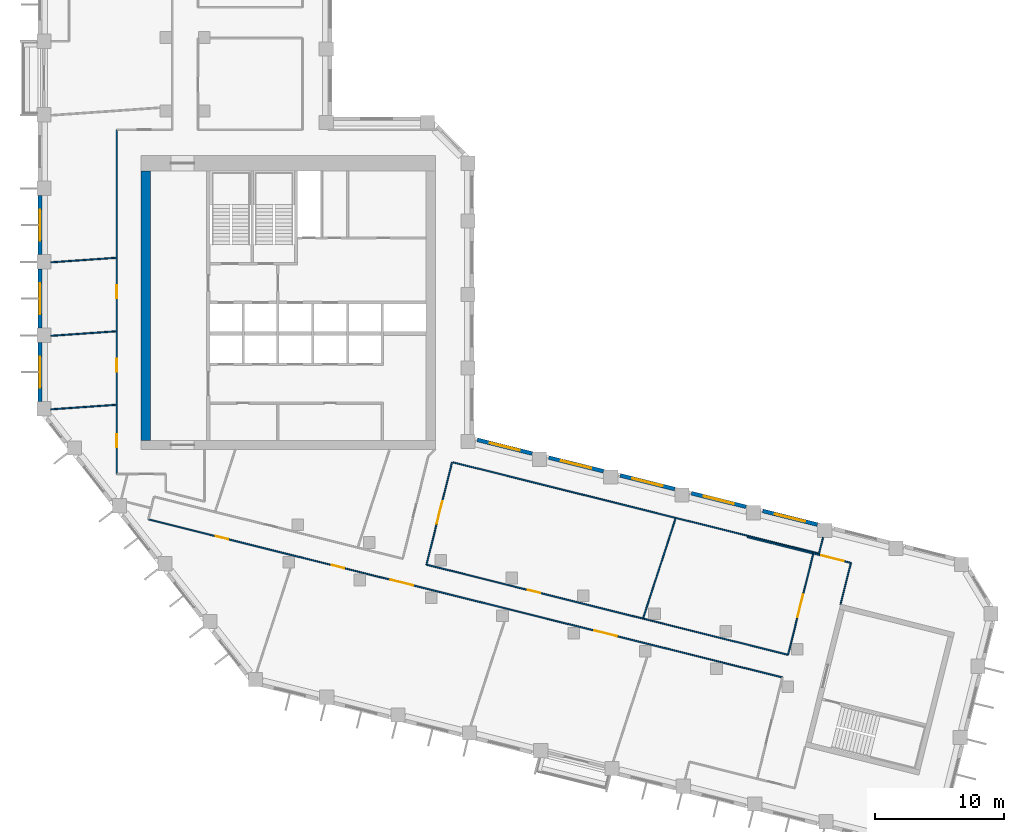
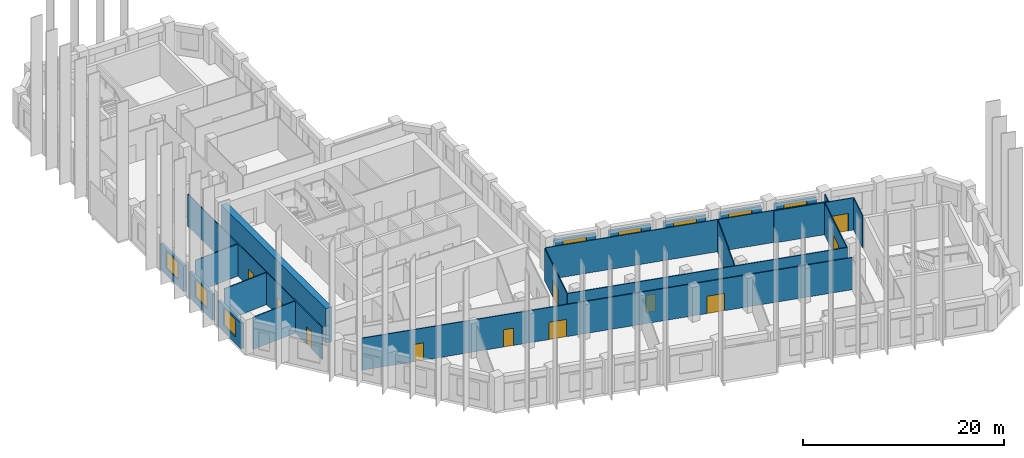
# One storey, part 4 of 10: 23 walls, 11 doors, 8 windows, 19 openings.
"""IFC4 building model written with IfcOpenShell, lengths in metres."""

import ifcopenshell
import ifcopenshell.guid

model = None  # the IFC model being written
_history = None  # IfcOwnerHistory: only IFC2X3 demands one
_inside = {}  # id of a spatial element -> (the spatial element, [elements in it])
_under = {}  # id of a project, library or spatial element -> (it, [spatial elements below it])
_declared = {}  # id of a project -> (the project, [libraries it declares])
_typed = {}  # id of a type object -> (the type object, [elements of that type])
_made_of = {}  # id of a material, layer set ... -> (it, [elements and type objects made of it])


def new_model(schema):
    """Start an empty IFC model of exactly this schema.

    Asked for "IFC4X3", IfcOpenShell would pick the latest addendum, in which some entities
    have other attributes; the version numbers below select the first issue.
    IFC2X3 requires an IfcOwnerHistory on every rooted entity: one is made here for all.
    """
    global model, _history
    if schema == "IFC4X3":
        model = ifcopenshell.file(schema_version=(4, 3, 0, 0))
    else:
        model = ifcopenshell.file(schema=schema)
    _inside.clear()
    _under.clear()
    _declared.clear()
    _typed.clear()
    _made_of.clear()
    _history = None
    if model.schema == "IFC2X3":
        org = make("IfcOrganization", Name="unknown")
        user = make(
            "IfcPersonAndOrganization",
            ThePerson=make("IfcPerson", FamilyName="unknown"),
            TheOrganization=org,
        )
        app = make(
            "IfcApplication",
            ApplicationDeveloper=org,
            Version="unknown",
            ApplicationFullName="unknown",
            ApplicationIdentifier="unknown",
        )
        _history = make(
            "IfcOwnerHistory",
            OwningUser=user,
            OwningApplication=app,
            ChangeAction="ADDED",
            CreationDate=0,
        )
    return model


def make(cls, **values):
    """One entity of the class cls with the attributes given. An attribute that is None is left unset."""
    return model.create_entity(
        cls, **{name: value for name, value in values.items() if value is not None}
    )


def rooted(cls, **values):
    """An entity with a GlobalId (a new one), such as an element, a storey or a relation."""
    return make(cls, GlobalId=ifcopenshell.guid.new(), OwnerHistory=_history, **values)


def si_unit(unit_type, name, prefix=None):
    """IfcSIUnit, for example si_unit("LENGTHUNIT", "METRE", prefix="MILLI")."""
    return make("IfcSIUnit", UnitType=unit_type, Prefix=prefix, Name=name)


def assignment(units):
    """IfcUnitAssignment: the units of a project."""
    return None if units is None else make("IfcUnitAssignment", Units=units)


def point(xyz):
    """IfcCartesianPoint."""
    return None if xyz is None else make("IfcCartesianPoint", Coordinates=xyz)


def direction(xyz):
    """IfcDirection."""
    return None if xyz is None else make("IfcDirection", DirectionRatios=xyz)


def frame(location, z_axis=None, x_axis=None):
    """IfcAxis2Placement3D, a coordinate frame: its origin and axes. An axis left out is left unset."""
    return make(
        "IfcAxis2Placement3D",
        Location=point(location),
        Axis=direction(z_axis),
        RefDirection=direction(x_axis),
    )


def frame_2d(location, x_axis=None):
    """IfcAxis2Placement2D, a coordinate frame in the plane: its origin and x axis."""
    return make(
        "IfcAxis2Placement2D", Location=point(location), RefDirection=direction(x_axis)
    )


def origin():
    """The frame at (0, 0, 0) with its axes left unset."""
    return frame((0.0, 0.0, 0.0))


def place(relative_to, where):
    """IfcLocalPlacement: puts the frame where relative to a parent placement (None: the world)."""
    return make(
        "IfcLocalPlacement", PlacementRelTo=relative_to, RelativePlacement=where
    )


def context(
    kind, dimensions, precision=None, world=None, true_north=None, identifier=None
):
    """IfcGeometricRepresentationContext, for example the 3D "Model" context."""
    return make(
        "IfcGeometricRepresentationContext",
        ContextIdentifier=identifier,
        ContextType=kind,
        CoordinateSpaceDimension=dimensions,
        Precision=precision,
        WorldCoordinateSystem=world,
        TrueNorth=true_north,
    )


def subcontext(parent, identifier, kind, view, scale=None):
    """IfcGeometricRepresentationSubContext, for example "Body" below "Model"."""
    return make(
        "IfcGeometricRepresentationSubContext",
        ContextIdentifier=identifier,
        ContextType=kind,
        ParentContext=parent,
        TargetScale=scale,
        TargetView=view,
    )


def project(units=None, contexts=None):
    """IfcProject with its units and contexts."""
    return rooted(
        "IfcProject",
        Name="project",
        RepresentationContexts=contexts,
        UnitsInContext=assignment(units),
    )


def spatial(cls, under=None, at=None, **own):
    """A site, building, storey or space (cls), placed at a placement, below another one or the project."""
    s = rooted(cls, ObjectPlacement=at, **own)
    if under is not None:
        _under.setdefault(under.id(), (under, []))[1].append(s)
    return s


def profile(cls, at=None, kind="AREA", **sizes):
    """A parametric profile (cls). Its sizes go by their IFC names, for example OverallWidth=200.0."""
    return make(cls, ProfileType=kind, Position=at, **sizes)


def rectangle(**sizes):
    """IfcRectangleProfileDef."""
    return profile("IfcRectangleProfileDef", **sizes)


def extrude(swept, where, along, depth):
    """IfcExtrudedAreaSolid: the profile swept, set in the frame where, extruded along a direction by depth."""
    return make(
        "IfcExtrudedAreaSolid",
        SweptArea=swept,
        Position=where,
        ExtrudedDirection=direction(along),
        Depth=depth,
    )


def shape(context_of_items, identifier, shape_type, items):
    """IfcShapeRepresentation: the items that make up one representation, for example the "Body"."""
    return make(
        "IfcShapeRepresentation",
        ContextOfItems=context_of_items,
        RepresentationIdentifier=identifier,
        RepresentationType=shape_type,
        Items=items,
    )


def material(Name=None, Category=None):
    """IfcMaterial."""
    return make("IfcMaterial", Name=Name, Category=Category)


def layer(
    of_material, thickness, ventilated=None, Name=None, Category=None, Priority=None
):
    """IfcMaterialLayer: one layer of a wall or slab, of a material (None: an air gap)."""
    return make(
        "IfcMaterialLayer",
        Material=of_material,
        LayerThickness=thickness,
        IsVentilated=ventilated,
        Name=Name,
        Category=Category,
        Priority=Priority,
    )


def layer_set(layers, Name=None):
    """IfcMaterialLayerSet."""
    return make("IfcMaterialLayerSet", MaterialLayers=layers, LayerSetName=Name)


def made_of(thing, what):
    """Note that an element or type object is made of a material, layer set ...; save() writes the relation."""
    if what is not None:
        _made_of.setdefault(what.id(), (what, []))[1].append(thing)
    return thing


def type_object(cls, material=None, **own):
    """A type object (cls), such as IfcWallType, which elements share."""
    return made_of(rooted(cls, **own), material)


def element(
    cls,
    number,
    at=None,
    inside=None,
    cuts=None,
    type_object=None,
    material=None,
    context=None,
    identifier="Body",
    shape_type=None,
    held_by="IfcProductDefinitionShape",
    body=None,
    shapes=None,
    **own,
):
    """One element of the class cls, such as IfcWall. Its Tag is "e" and its number.

    at: its placement. inside: the storey or other place that contains it. cuts: it is an
    opening in that element (IfcRelVoidsElement). A single representation is given by context,
    identifier, shape_type and body (its items); several are given by shapes. held_by: the class
    of the entity that holds the representations. save() writes the other relations.
    """
    e = rooted(cls, Tag="e%d" % number, ObjectPlacement=at, **own)
    if body is not None:
        shapes = [shape(context, identifier, shape_type, body)]
    if shapes is not None:
        e.Representation = make(held_by, Representations=shapes)
    if inside is not None:
        _inside.setdefault(inside.id(), (inside, []))[1].append(e)
    if cuts is not None:
        rooted(
            "IfcRelVoidsElement", RelatingBuildingElement=cuts, RelatedOpeningElement=e
        )
    if type_object is not None:
        _typed.setdefault(type_object.id(), (type_object, []))[1].append(e)
    return made_of(e, material)


def fill(opening, filler):
    """IfcRelFillsElement: the door or window that sits in an opening."""
    return rooted(
        "IfcRelFillsElement",
        RelatingOpeningElement=opening,
        RelatedBuildingElement=filler,
    )


def aggregate(whole, parts):
    """IfcRelAggregates: a whole, such as a stair, and the parts it consists of."""
    return rooted("IfcRelAggregates", RelatingObject=whole, RelatedObjects=parts)


def save(model, path):
    """Write the relations noted so far, then the file.

    IfcRelAggregates (storeys below a building ...), IfcRelContainedInSpatialStructure (elements
    in a storey), IfcRelDefinesByType, IfcRelAssociatesMaterial and IfcRelDeclares: one each for
    every whole, place, type object, material and project.
    """
    for whole, parts in _under.values():
        aggregate(whole, parts)
    for where, things in _inside.values():
        rooted(
            "IfcRelContainedInSpatialStructure",
            RelatedElements=things,
            RelatingStructure=where,
        )
    for kind, things in _typed.values():
        rooted("IfcRelDefinesByType", RelatedObjects=things, RelatingType=kind)
    for what, things in _made_of.values():
        rooted("IfcRelAssociatesMaterial", RelatedObjects=things, RelatingMaterial=what)
    for by, libraries in _declared.values():
        rooted("IfcRelDeclares", RelatingContext=by, RelatedDefinitions=libraries)
    model.write(path)


model = new_model("IFC4")

# Units and contexts
model_context = context("Model", 3, precision=1e-05, world=origin(), true_north=direction((0.0, 1.0)))
body_context = subcontext(model_context, "Body", "Model", "MODEL_VIEW")
ifc_project = project(units=[si_unit("LENGTHUNIT", "METRE"), si_unit("AREAUNIT", "SQUARE_METRE"), si_unit("VOLUMEUNIT", "CUBIC_METRE"), si_unit("PLANEANGLEUNIT", "RADIAN"), si_unit("MASSUNIT", "GRAM", prefix="KILO")], contexts=[model_context])

# Site, building, storey
site_placement = place(None, origin())
site = spatial("IfcSite", under=ifc_project, at=site_placement, CompositionType="ELEMENT")
building_placement = place(site_placement, origin())
building = spatial("IfcBuilding", under=site, at=building_placement, Name="Meshkara Civic Tower", CompositionType="ELEMENT")
storey_placement = place(building_placement, frame((0.0, 0.0, 242.39990234375)))
storey = spatial("IfcBuildingStorey", under=building, at=storey_placement, Name="L55", CompositionType="ELEMENT", Elevation=242.39990234375)

# Wall
ifc_material_1 = material(Name="Concrete C60", Category="concrete")
ifc_layer_1 = layer(ifc_material_1, 0.699951171875)
ifc_layer_set_1 = layer_set([ifc_layer_1], Name="Core ring wall 700 C60")
wall_type_1 = type_object("IfcWallType", Name="Core ring wall 700 C60", PredefinedType="SHEAR", material=ifc_layer_set_1)
wall_1_placement = place(storey_placement, frame((8.35009765625, 14.800048828125, -0.2998046875), z_axis=(0.0, 0.0, 1.0), x_axis=(0.0, 1.0, 0.0)))
element("IfcWall", 1, at=wall_1_placement, inside=storey, type_object=wall_type_1, Name="L55-C003", PredefinedType="SHEAR", context=body_context, shape_type="SweptSolid", body=[
    extrude(rectangle(XDim=20.89990234375, YDim=0.699951171875, at=frame_2d((10.449951171875, 0.0))), origin(), (0.0, 0.0, 1.0), 4.199951171875),
])

# Wall, openings, doors
ifc_material_2 = material(Name="Corridor wall 100")
ifc_layer_2 = layer(ifc_material_2, 0.10009765625)
ifc_layer_set_2 = layer_set([ifc_layer_2], Name="Corridor wall 100")
wall_type_2 = type_object("IfcWallType", Name="Corridor wall 100", PredefinedType="PARTITIONING", material=ifc_layer_set_2)
wall_2_placement = place(storey_placement, frame((6.10009765625, 12.199951171875, 0.0), z_axis=(0.0, 0.0, 1.0), x_axis=(0.0, 1.0, 0.0)))
wall_2 = element("IfcWall", 2, at=wall_2_placement, inside=storey, type_object=wall_type_2, Name="L55-W004", PredefinedType="PARTITIONING", context=body_context, shape_type="SweptSolid", body=[
    extrude(rectangle(XDim=26.699951171875, YDim=0.10009765625, at=frame_2d((13.35009765625, 0.0))), origin(), (0.0, 0.0, 1.0), 3.900146484375),
])
opening_1_placement = place(wall_2_placement, frame((2.080078125, 0.0, 0.0)))
opening_1 = element("IfcOpeningElement", 3, at=opening_1_placement, cuts=wall_2, Name="Opening L55-D013", PredefinedType="OPENING", context=body_context, shape_type="SweptSolid", body=[
    extrude(rectangle(XDim=1.0, YDim=2.10009765625, at=frame_2d((0.5, 1.050048828125))), frame((0.0, 0.06005859375, 0.0), z_axis=(0.0, -1.0, 0.0), x_axis=(1.0, 0.0, 0.0)), (0.0, 0.0, 1.0), 0.1201171875),
])
opening_2_placement = place(wall_2_placement, frame((7.946044921875, 0.0, 0.0)))
opening_2 = element("IfcOpeningElement", 4, at=opening_2_placement, cuts=wall_2, Name="Opening L55-D015", PredefinedType="OPENING", context=body_context, shape_type="SweptSolid", body=[
    extrude(rectangle(XDim=1.0, YDim=2.10009765625, at=frame_2d((0.5, 1.050048828125))), frame((0.0, 0.06005859375, 0.0), z_axis=(0.0, -1.0, 0.0), x_axis=(1.0, 0.0, 0.0)), (0.0, 0.0, 1.0), 0.1201171875),
])
opening_3_placement = place(wall_2_placement, frame((13.64599609375, 0.0, 0.0)))
opening_3 = element("IfcOpeningElement", 5, at=opening_3_placement, cuts=wall_2, Name="Opening L55-D016", PredefinedType="OPENING", context=body_context, shape_type="SweptSolid", body=[
    extrude(rectangle(XDim=1.0, YDim=2.10009765625, at=frame_2d((0.5, 1.050048828125))), frame((0.0, 0.06005859375, 0.0), z_axis=(0.0, -1.0, 0.0), x_axis=(1.0, 0.0, 0.0)), (0.0, 0.0, 1.0), 0.1201171875),
])
ifc_material_3 = material(Name="Door 1000 x 2100")
door_type_1 = type_object("IfcDoorType", Name="Door 1000 x 2100", OperationType="SINGLE_SWING_LEFT", PredefinedType="DOOR", material=ifc_material_3)
door_1_placement = place(opening_1_placement, origin())
door_1 = element("IfcDoor", 6, at=door_1_placement, inside=storey, type_object=door_type_1, Name="L55-D013", OperationType="SINGLE_SWING_LEFT", OverallHeight=2.10009765625, OverallWidth=1.0, PredefinedType="DOOR", context=body_context, shape_type="SweptSolid", body=[
    extrude(rectangle(XDim=1.0, YDim=2.10009765625, at=frame_2d((0.5, 1.050048828125))), frame((0.0, 0.02490234375, 0.0), z_axis=(0.0, -1.0, 0.0), x_axis=(1.0, 0.0, 0.0)), (0.0, 0.0, 1.0), 0.050048828125),
])
fill(opening_1, door_1)
door_2_placement = place(opening_2_placement, origin())
door_2 = element("IfcDoor", 7, at=door_2_placement, inside=storey, type_object=door_type_1, Name="L55-D015", OperationType="SINGLE_SWING_RIGHT", OverallHeight=2.10009765625, OverallWidth=1.0, PredefinedType="DOOR", context=body_context, shape_type="SweptSolid", body=[
    extrude(rectangle(XDim=1.0, YDim=2.10009765625, at=frame_2d((0.5, 1.050048828125))), frame((0.0, 0.02490234375, 0.0), z_axis=(0.0, -1.0, 0.0), x_axis=(1.0, 0.0, 0.0)), (0.0, 0.0, 1.0), 0.050048828125),
])
fill(opening_2, door_2)
door_3_placement = place(opening_3_placement, origin())
door_3 = element("IfcDoor", 8, at=door_3_placement, inside=storey, type_object=door_type_1, Name="L55-D016", OperationType="SINGLE_SWING_RIGHT", OverallHeight=2.10009765625, OverallWidth=1.0, PredefinedType="DOOR", context=body_context, shape_type="SweptSolid", body=[
    extrude(rectangle(XDim=1.0, YDim=2.10009765625, at=frame_2d((0.5, 1.050048828125))), frame((0.0, 0.02490234375, 0.0), z_axis=(0.0, -1.0, 0.0), x_axis=(1.0, 0.0, 0.0)), (0.0, 0.0, 1.0), 0.050048828125),
])
fill(opening_3, door_3)

wall_3_placement = place(storey_placement, frame((8.550048828125, 8.68505859375, 0.0), z_axis=(0.0, 0.0, 1.0), x_axis=(0.970297603286, -0.241914367199, 0.0)))
wall_3 = element("IfcWall", 9, at=wall_3_placement, inside=storey, type_object=wall_type_2, Name="L55-W006", PredefinedType="PARTITIONING", context=body_context, shape_type="SweptSolid", body=[
    extrude(rectangle(XDim=50.675048828125, YDim=0.10009765625, at=frame_2d((25.33740234375, 0.0))), origin(), (0.0, 0.0, 1.0), 3.900146484375),
])
opening_4_placement = place(wall_3_placement, frame((35.656982421875, 0.0, 0.0)))
opening_4 = element("IfcOpeningElement", 10, at=opening_4_placement, cuts=wall_3, Name="Opening L55-D003", PredefinedType="OPENING", context=body_context, shape_type="SweptSolid", body=[
    extrude(rectangle(XDim=1.800048828125, YDim=2.10009765625, at=frame_2d((0.89990234375, 1.050048828125))), frame((0.0, 0.06005859375, 0.0), z_axis=(0.0, -1.0, 0.0), x_axis=(1.0, 0.0, 0.0)), (0.0, 0.0, 1.0), 0.1201171875),
])
opening_5_placement = place(wall_3_placement, frame((14.656982421875, 0.0, 0.0)))
opening_5 = element("IfcOpeningElement", 11, at=opening_5_placement, cuts=wall_3, Name="Opening L55-D004", PredefinedType="OPENING", context=body_context, shape_type="SweptSolid", body=[
    extrude(rectangle(XDim=1.0, YDim=2.10009765625, at=frame_2d((0.5, 1.050048828125))), frame((0.0, 0.06005859375, 0.0), z_axis=(0.0, -1.0, 0.0), x_axis=(1.0, 0.0, 0.0)), (0.0, 0.0, 1.0), 0.1201171875),
])
opening_6_placement = place(wall_3_placement, frame((19.35693359375, 0.0, 0.0)))
opening_6 = element("IfcOpeningElement", 12, at=opening_6_placement, cuts=wall_3, Name="Opening L55-D005", PredefinedType="OPENING", context=body_context, shape_type="SweptSolid", body=[
    extrude(rectangle(XDim=1.800048828125, YDim=2.10009765625, at=frame_2d((0.89990234375, 1.050048828125))), frame((0.0, 0.06005859375, 0.0), z_axis=(0.0, -1.0, 0.0), x_axis=(1.0, 0.0, 0.0)), (0.0, 0.0, 1.0), 0.1201171875),
])
opening_7_placement = place(wall_3_placement, frame((5.3798828125, 0.0, 0.0)))
opening_7 = element("IfcOpeningElement", 13, at=opening_7_placement, cuts=wall_3, Name="Opening L55-D009", PredefinedType="OPENING", context=body_context, shape_type="SweptSolid", body=[
    extrude(rectangle(XDim=1.0, YDim=2.10009765625, at=frame_2d((0.5, 1.050048828125))), frame((0.0, 0.06005859375, 0.0), z_axis=(0.0, -1.0, 0.0), x_axis=(1.0, 0.0, 0.0)), (0.0, 0.0, 1.0), 0.1201171875),
])
door_4_placement = place(opening_5_placement, origin())
door_4 = element("IfcDoor", 14, at=door_4_placement, inside=storey, type_object=door_type_1, Name="L55-D004", OperationType="SINGLE_SWING_RIGHT", OverallHeight=2.10009765625, OverallWidth=1.0, PredefinedType="DOOR", context=body_context, shape_type="SweptSolid", body=[
    extrude(rectangle(XDim=1.0, YDim=2.10009765625, at=frame_2d((0.5, 1.050048828125))), frame((0.0, 0.02490234375, 0.0), z_axis=(0.0, -1.0, 0.0), x_axis=(1.0, 0.0, 0.0)), (0.0, 0.0, 1.0), 0.050048828125),
])
fill(opening_5, door_4)
door_5_placement = place(opening_7_placement, origin())
door_5 = element("IfcDoor", 15, at=door_5_placement, inside=storey, type_object=door_type_1, Name="L55-D009", OperationType="SINGLE_SWING_LEFT", OverallHeight=2.10009765625, OverallWidth=1.0, PredefinedType="DOOR", context=body_context, shape_type="SweptSolid", body=[
    extrude(rectangle(XDim=1.0, YDim=2.10009765625, at=frame_2d((0.5, 1.050048828125))), frame((0.0, 0.02490234375, 0.0), z_axis=(0.0, -1.0, 0.0), x_axis=(1.0, 0.0, 0.0)), (0.0, 0.0, 1.0), 0.050048828125),
])
fill(opening_7, door_5)
ifc_material_4 = material(Name="Door pair 1800 x 2100")
door_type_2 = type_object("IfcDoorType", Name="Door pair 1800 x 2100", OperationType="SINGLE_SWING_LEFT", PredefinedType="DOOR", material=ifc_material_4)
door_6_placement = place(opening_4_placement, origin())
door_6 = element("IfcDoor", 16, at=door_6_placement, inside=storey, type_object=door_type_2, Name="L55-D003", OperationType="DOUBLE_DOOR_SINGLE_SWING", OverallHeight=2.10009765625, OverallWidth=1.800048828125, PredefinedType="DOOR", context=body_context, shape_type="SweptSolid", body=[
    extrude(rectangle(XDim=1.800048828125, YDim=2.10009765625, at=frame_2d((0.89990234375, 1.050048828125))), frame((0.0, 0.02490234375, 0.0), z_axis=(0.0, -1.0, 0.0), x_axis=(1.0, 0.0, 0.0)), (0.0, 0.0, 1.0), 0.050048828125),
])
fill(opening_4, door_6)
door_7_placement = place(opening_6_placement, origin())
door_7 = element("IfcDoor", 17, at=door_7_placement, inside=storey, type_object=door_type_2, Name="L55-D005", OperationType="DOUBLE_DOOR_SINGLE_SWING", OverallHeight=2.10009765625, OverallWidth=1.800048828125, PredefinedType="DOOR", context=body_context, shape_type="SweptSolid", body=[
    extrude(rectangle(XDim=1.800048828125, YDim=2.10009765625, at=frame_2d((0.89990234375, 1.050048828125))), frame((0.0, 0.02490234375, 0.0), z_axis=(0.0, -1.0, 0.0), x_axis=(1.0, 0.0, 0.0)), (0.0, 0.0, 1.0), 0.050048828125),
])
fill(opening_6, door_7)

# Wall, opening, door
wall_4_placement = place(storey_placement, frame((30.1201171875, 5.1708984375, 0.0), z_axis=(0.0, 0.0, 1.0), x_axis=(0.970298856921, -0.241909338922, 0.0)))
wall_4 = element("IfcWall", 18, at=wall_4_placement, inside=storey, type_object=wall_type_2, Name="L55-W025", PredefinedType="PARTITIONING", context=body_context, shape_type="SweptSolid", body=[
    extrude(rectangle(XDim=28.89501953125, YDim=0.10009765625, at=frame_2d((14.447509765625, 0.0))), origin(), (0.0, 0.0, 1.0), 3.900146484375),
])
opening_8_placement = place(wall_4_placement, frame((8.080078125, 0.0, 0.0)))
opening_8 = element("IfcOpeningElement", 19, at=opening_8_placement, cuts=wall_4, Name="Opening L55-D006", PredefinedType="OPENING", context=body_context, shape_type="SweptSolid", body=[
    extrude(rectangle(XDim=1.0, YDim=2.10009765625, at=frame_2d((0.5, 1.050048828125))), frame((0.0, 0.06005859375, 0.0), z_axis=(0.0, -1.0, 0.0), x_axis=(1.0, 0.0, 0.0)), (0.0, 0.0, 1.0), 0.1201171875),
])
door_8_placement = place(opening_8_placement, origin())
door_8 = element("IfcDoor", 20, at=door_8_placement, inside=storey, type_object=door_type_1, Name="L55-D006", OperationType="SINGLE_SWING_LEFT", OverallHeight=2.10009765625, OverallWidth=1.0, PredefinedType="DOOR", context=body_context, shape_type="SweptSolid", body=[
    extrude(rectangle(XDim=1.0, YDim=2.10009765625, at=frame_2d((0.5, 1.050048828125))), frame((0.0, 0.02490234375, 0.0), z_axis=(0.0, -1.0, 0.0), x_axis=(1.0, 0.0, 0.0)), (0.0, 0.0, 1.0), 0.050048828125),
])
fill(opening_8, door_8)

wall_5_placement = place(storey_placement, frame((30.1201171875, 5.1708984375, 0.0), z_axis=(0.0, 0.0, 1.0), x_axis=(0.241902913229, 0.970300458915, 0.0)))
wall_5 = element("IfcWall", 21, at=wall_5_placement, inside=storey, type_object=wall_type_2, Name="L55-W026", PredefinedType="PARTITIONING", context=body_context, shape_type="SweptSolid", body=[
    extrude(rectangle(XDim=8.171875, YDim=0.10009765625, at=frame_2d((4.0859375, 0.0))), origin(), (0.0, 0.0, 1.0), 3.900146484375),
])
opening_9_placement = place(wall_5_placement, frame((3.280029296875, 0.0, 0.0)))
opening_9 = element("IfcOpeningElement", 22, at=opening_9_placement, cuts=wall_5, Name="Opening L55-D012", PredefinedType="OPENING", context=body_context, shape_type="SweptSolid", body=[
    extrude(rectangle(XDim=1.800048828125, YDim=2.10009765625, at=frame_2d((0.89990234375, 1.050048828125))), frame((0.0, 0.06005859375, 0.0), z_axis=(0.0, -1.0, 0.0), x_axis=(1.0, 0.0, 0.0)), (0.0, 0.0, 1.0), 0.1201171875),
])
door_9_placement = place(opening_9_placement, origin())
door_9 = element("IfcDoor", 23, at=door_9_placement, inside=storey, type_object=door_type_2, Name="L55-D012", OperationType="DOUBLE_DOOR_SINGLE_SWING", OverallHeight=2.10009765625, OverallWidth=1.800048828125, PredefinedType="DOOR", context=body_context, shape_type="SweptSolid", body=[
    extrude(rectangle(XDim=1.800048828125, YDim=2.10009765625, at=frame_2d((0.89990234375, 1.050048828125))), frame((0.0, 0.02490234375, 0.0), z_axis=(0.0, -1.0, 0.0), x_axis=(1.0, 0.0, 0.0)), (0.0, 0.0, 1.0), 0.050048828125),
])
fill(opening_9, door_9)

# Wall
wall_6_placement = place(storey_placement, frame((32.196044921875, 13.10009765625, 0.0), z_axis=(0.0, 0.0, 1.0), x_axis=(0.970294627208, -0.241926303678, 0.0)))
element("IfcWall", 24, at=wall_6_placement, inside=storey, type_object=wall_type_2, Name="L55-W030", PredefinedType="PARTITIONING", context=body_context, shape_type="SweptSolid", body=[
    extrude(rectangle(XDim=29.22802734375, YDim=0.10009765625, at=frame_2d((14.614013671875, 0.0))), origin(), (0.0, 0.0, 1.0), 3.900146484375),
])

# Wall, opening, door
wall_7_placement = place(storey_placement, frame((60.115966796875, 6.035888671875, 0.0), z_axis=(0.0, 0.0, 1.0), x_axis=(-0.241982110561, -0.970280711015, 0.0)))
wall_7 = element("IfcWall", 25, at=wall_7_placement, inside=storey, type_object=wall_type_2, Name="L55-W034", PredefinedType="PARTITIONING", context=body_context, shape_type="SweptSolid", body=[
    extrude(rectangle(XDim=8.095458984375, YDim=0.10009765625, at=frame_2d((4.0478515625, 0.0))), origin(), (0.0, 0.0, 1.0), 3.900146484375),
])
opening_10_placement = place(wall_7_placement, frame((3.280029296875, 0.0, 0.0)))
opening_10 = element("IfcOpeningElement", 26, at=opening_10_placement, cuts=wall_7, Name="Opening L55-D007", PredefinedType="OPENING", context=body_context, shape_type="SweptSolid", body=[
    extrude(rectangle(XDim=1.800048828125, YDim=2.10009765625, at=frame_2d((0.89990234375, 1.050048828125))), frame((0.0, 0.06005859375, 0.0), z_axis=(0.0, -1.0, 0.0), x_axis=(1.0, 0.0, 0.0)), (0.0, 0.0, 1.0), 0.1201171875),
])
door_10_placement = place(opening_10_placement, origin())
door_10 = element("IfcDoor", 27, at=door_10_placement, inside=storey, type_object=door_type_2, Name="L55-D007", OperationType="DOUBLE_DOOR_SINGLE_SWING", OverallHeight=2.10009765625, OverallWidth=1.800048828125, PredefinedType="DOOR", context=body_context, shape_type="SweptSolid", body=[
    extrude(rectangle(XDim=1.800048828125, YDim=2.10009765625, at=frame_2d((0.89990234375, 1.050048828125))), frame((0.0, 0.02490234375, 0.0), z_axis=(0.0, -1.0, 0.0), x_axis=(1.0, 0.0, 0.0)), (0.0, 0.0, 1.0), 0.050048828125),
])
fill(opening_10, door_10)

# Walls
wall_8_placement = place(storey_placement, frame((60.555908203125, 6.029052734375, 0.0), z_axis=(0.0, 0.0, 1.0), x_axis=(0.24168476558, 0.970354818655, 0.0)))
element("IfcWall", 28, at=wall_8_placement, inside=storey, type_object=wall_type_2, Name="L55-W035", PredefinedType="PARTITIONING", context=body_context, shape_type="SweptSolid", body=[
    extrude(rectangle(XDim=1.282958984375, YDim=0.10009765625, at=frame_2d((0.6416015625, 0.0))), origin(), (0.0, 0.0, 1.0), 3.900146484375),
])
wall_9_placement = place(storey_placement, frame((62.22900390625, 2.10791015625, 0.0), z_axis=(0.0, 0.0, 1.0), x_axis=(0.241839284064, 0.97031631991, 0.0)))
element("IfcWall", 29, at=wall_9_placement, inside=storey, type_object=wall_type_2, Name="L55-W036", PredefinedType="PARTITIONING", context=body_context, shape_type="SweptSolid", body=[
    extrude(rectangle(XDim=3.300048828125, YDim=0.10009765625, at=frame_2d((1.64990234375, 0.0))), origin(), (0.0, 0.0, 1.0), 3.900146484375),
])

# Wall, opening, door
wall_10_placement = place(storey_placement, frame((63.027099609375, 5.31005859375, 0.0), z_axis=(0.0, 0.0, 1.0), x_axis=(-0.970295479982, 0.241922883427, 0.0)))
wall_10 = element("IfcWall", 30, at=wall_10_placement, inside=storey, type_object=wall_type_2, Name="L55-W037", PredefinedType="PARTITIONING", context=body_context, shape_type="SweptSolid", body=[
    extrude(rectangle(XDim=3.000244140625, YDim=0.10009765625, at=frame_2d((1.5, 0.0))), origin(), (0.0, 0.0, 1.0), 3.900146484375),
])
opening_11_placement = place(wall_10_placement, frame((0.580078125, 0.0, 0.0)))
opening_11 = element("IfcOpeningElement", 31, at=opening_11_placement, cuts=wall_10, Name="Opening L55-D008", PredefinedType="OPENING", context=body_context, shape_type="SweptSolid", body=[
    extrude(rectangle(XDim=1.800048828125, YDim=2.10009765625, at=frame_2d((0.89990234375, 1.050048828125))), frame((0.0, 0.06005859375, 0.0), z_axis=(0.0, -1.0, 0.0), x_axis=(1.0, 0.0, 0.0)), (0.0, 0.0, 1.0), 0.1201171875),
])
door_11_placement = place(opening_11_placement, origin())
door_11 = element("IfcDoor", 32, at=door_11_placement, inside=storey, type_object=door_type_2, Name="L55-D008", OperationType="DOUBLE_DOOR_SINGLE_SWING", OverallHeight=2.10009765625, OverallWidth=1.800048828125, PredefinedType="DOOR", context=body_context, shape_type="SweptSolid", body=[
    extrude(rectangle(XDim=1.800048828125, YDim=2.10009765625, at=frame_2d((0.89990234375, 1.050048828125))), frame((0.0, 0.02490234375, 0.0), z_axis=(0.0, -1.0, 0.0), x_axis=(1.0, 0.0, 0.0)), (0.0, 0.0, 1.0), 0.050048828125),
])
fill(opening_11, door_11)

# Wall, opening, window
ifc_material_5 = material(Name="Insulated infill panel with bronze anodised aluminium cladding", Category="aluminium")
ifc_layer_3 = layer(ifc_material_5, 0.300048828125)
ifc_layer_set_3 = layer_set([ifc_layer_3], Name="EXTERNAL INFILL WALL 300")
wall_type_3 = type_object("IfcWallType", Name="EXTERNAL INFILL WALL 300", PredefinedType="SOLIDWALL", material=ifc_layer_set_3)
wall_11_placement = place(storey_placement, frame((60.428955078125, 8.277099609375, 0.0), z_axis=(0.0, 0.0, 1.0), x_axis=(-0.97030676369, 0.241877622649, 0.0)))
wall_11 = element("IfcWall", 33, at=wall_11_placement, inside=storey, type_object=wall_type_3, Name="External wall", PredefinedType="SOLIDWALL", context=body_context, shape_type="SweptSolid", body=[
    extrude(rectangle(XDim=4.365478515625, YDim=0.300048828125, at=frame_2d((2.1826171875, 0.0))), origin(), (0.0, 0.0, 1.0), 3.150146484375),
])
opening_12_placement = place(wall_11_placement, frame((0.98291015625, 0.0, 0.800048828125)))
opening_12 = element("IfcOpeningElement", 34, at=opening_12_placement, cuts=wall_11, Name="Opening W7", PredefinedType="OPENING", context=body_context, shape_type="SweptSolid", body=[
    extrude(rectangle(XDim=2.39990234375, YDim=2.10009765625, at=frame_2d((1.199951171875, 1.050048828125))), frame((0.0, 0.159912109375, 0.0), z_axis=(0.0, -1.0, 0.0), x_axis=(1.0, 0.0, 0.0)), (0.0, 0.0, 1.0), 0.320068359375),
])
ifc_material_6 = material(Name="Tinted double glazing", Category="glass")
window_type = type_object("IfcWindowType", Name="WINDOW 2400x2100", PartitioningType="DOUBLE_PANEL_VERTICAL", PredefinedType="WINDOW", material=ifc_material_6)
window_1_placement = place(opening_12_placement, origin())
window_1 = element("IfcWindow", 35, at=window_1_placement, inside=storey, type_object=window_type, Name="Window", OverallHeight=2.10009765625, OverallWidth=2.39990234375, PartitioningType="DOUBLE_PANEL_VERTICAL", PredefinedType="WINDOW", context=body_context, shape_type="SweptSolid", body=[
    extrude(rectangle(XDim=2.39990234375, YDim=2.10009765625, at=frame_2d((1.199951171875, 1.050048828125))), frame((0.0, 0.030029296875, 0.0), z_axis=(0.0, -1.0, 0.0), x_axis=(1.0, 0.0, 0.0)), (0.0, 0.0, 1.0), 0.06005859375),
])
fill(opening_12, window_1)

wall_12_placement = place(storey_placement, frame((54.89892578125, 9.656005859375, 0.0), z_axis=(0.0, 0.0, 1.0), x_axis=(-0.970319847058, 0.241825131873, 0.0)))
wall_12 = element("IfcWall", 36, at=wall_12_placement, inside=storey, type_object=wall_type_3, Name="External wall", PredefinedType="SOLIDWALL", context=body_context, shape_type="SweptSolid", body=[
    extrude(rectangle(XDim=4.366455078125, YDim=0.300048828125, at=frame_2d((2.18310546875, 0.0))), origin(), (0.0, 0.0, 1.0), 3.150146484375),
])
opening_13_placement = place(wall_12_placement, frame((0.98291015625, 0.0, 0.800048828125)))
opening_13 = element("IfcOpeningElement", 37, at=opening_13_placement, cuts=wall_12, Name="Opening W7", PredefinedType="OPENING", context=body_context, shape_type="SweptSolid", body=[
    extrude(rectangle(XDim=2.39990234375, YDim=2.10009765625, at=frame_2d((1.199951171875, 1.050048828125))), frame((0.0, 0.159912109375, 0.0), z_axis=(0.0, -1.0, 0.0), x_axis=(1.0, 0.0, 0.0)), (0.0, 0.0, 1.0), 0.320068359375),
])
window_2_placement = place(opening_13_placement, origin())
window_2 = element("IfcWindow", 38, at=window_2_placement, inside=storey, type_object=window_type, Name="Window", OverallHeight=2.10009765625, OverallWidth=2.39990234375, PartitioningType="DOUBLE_PANEL_VERTICAL", PredefinedType="WINDOW", context=body_context, shape_type="SweptSolid", body=[
    extrude(rectangle(XDim=2.39990234375, YDim=2.10009765625, at=frame_2d((1.199951171875, 1.050048828125))), frame((0.0, 0.030029296875, 0.0), z_axis=(0.0, -1.0, 0.0), x_axis=(1.0, 0.0, 0.0)), (0.0, 0.0, 1.0), 0.06005859375),
])
fill(opening_13, window_2)

wall_13_placement = place(storey_placement, frame((49.367919921875, 11.034912109375, 0.0), z_axis=(0.0, 0.0, 1.0), x_axis=(-0.970306725873, 0.241877774353, 0.0)))
wall_13 = element("IfcWall", 39, at=wall_13_placement, inside=storey, type_object=wall_type_3, Name="External wall", PredefinedType="SOLIDWALL", context=body_context, shape_type="SweptSolid", body=[
    extrude(rectangle(XDim=4.366455078125, YDim=0.300048828125, at=frame_2d((2.18310546875, 0.0))), origin(), (0.0, 0.0, 1.0), 3.150146484375),
])
opening_14_placement = place(wall_13_placement, frame((0.98291015625, 0.0, 0.800048828125)))
opening_14 = element("IfcOpeningElement", 40, at=opening_14_placement, cuts=wall_13, Name="Opening W7", PredefinedType="OPENING", context=body_context, shape_type="SweptSolid", body=[
    extrude(rectangle(XDim=2.39990234375, YDim=2.10009765625, at=frame_2d((1.199951171875, 1.050048828125))), frame((0.0, 0.159912109375, 0.0), z_axis=(0.0, -1.0, 0.0), x_axis=(1.0, 0.0, 0.0)), (0.0, 0.0, 1.0), 0.320068359375),
])
window_3_placement = place(opening_14_placement, origin())
window_3 = element("IfcWindow", 41, at=window_3_placement, inside=storey, type_object=window_type, Name="Window", OverallHeight=2.10009765625, OverallWidth=2.39990234375, PartitioningType="DOUBLE_PANEL_VERTICAL", PredefinedType="WINDOW", context=body_context, shape_type="SweptSolid", body=[
    extrude(rectangle(XDim=2.39990234375, YDim=2.10009765625, at=frame_2d((1.199951171875, 1.050048828125))), frame((0.0, 0.030029296875, 0.0), z_axis=(0.0, -1.0, 0.0), x_axis=(1.0, 0.0, 0.0)), (0.0, 0.0, 1.0), 0.06005859375),
])
fill(opening_14, window_3)

wall_14_placement = place(storey_placement, frame((43.8369140625, 12.4140625, 0.0), z_axis=(0.0, 0.0, 1.0), x_axis=(-0.97030676369, 0.241877622649, 0.0)))
wall_14 = element("IfcWall", 42, at=wall_14_placement, inside=storey, type_object=wall_type_3, Name="External wall", PredefinedType="SOLIDWALL", context=body_context, shape_type="SweptSolid", body=[
    extrude(rectangle(XDim=4.365478515625, YDim=0.300048828125, at=frame_2d((2.1826171875, 0.0))), origin(), (0.0, 0.0, 1.0), 3.150146484375),
])
opening_15_placement = place(wall_14_placement, frame((0.98291015625, 0.0, 0.800048828125)))
opening_15 = element("IfcOpeningElement", 43, at=opening_15_placement, cuts=wall_14, Name="Opening W7", PredefinedType="OPENING", context=body_context, shape_type="SweptSolid", body=[
    extrude(rectangle(XDim=2.39990234375, YDim=2.10009765625, at=frame_2d((1.199951171875, 1.050048828125))), frame((0.0, 0.159912109375, 0.0), z_axis=(0.0, -1.0, 0.0), x_axis=(1.0, 0.0, 0.0)), (0.0, 0.0, 1.0), 0.320068359375),
])
window_4_placement = place(opening_15_placement, origin())
window_4 = element("IfcWindow", 44, at=window_4_placement, inside=storey, type_object=window_type, Name="Window", OverallHeight=2.10009765625, OverallWidth=2.39990234375, PartitioningType="DOUBLE_PANEL_VERTICAL", PredefinedType="WINDOW", context=body_context, shape_type="SweptSolid", body=[
    extrude(rectangle(XDim=2.39990234375, YDim=2.10009765625, at=frame_2d((1.199951171875, 1.050048828125))), frame((0.0, 0.030029296875, 0.0), z_axis=(0.0, -1.0, 0.0), x_axis=(1.0, 0.0, 0.0)), (0.0, 0.0, 1.0), 0.06005859375),
])
fill(opening_15, window_4)

wall_15_placement = place(storey_placement, frame((38.306884765625, 13.79296875, 0.0), z_axis=(0.0, 0.0, 1.0), x_axis=(-0.970306725873, 0.241877774353, 0.0)))
wall_15 = element("IfcWall", 45, at=wall_15_placement, inside=storey, type_object=wall_type_3, Name="External wall", PredefinedType="SOLIDWALL", context=body_context, shape_type="SweptSolid", body=[
    extrude(rectangle(XDim=4.366455078125, YDim=0.300048828125, at=frame_2d((2.18310546875, 0.0))), origin(), (0.0, 0.0, 1.0), 3.150146484375),
])
opening_16_placement = place(wall_15_placement, frame((0.98291015625, 0.0, 0.800048828125)))
opening_16 = element("IfcOpeningElement", 46, at=opening_16_placement, cuts=wall_15, Name="Opening W7", PredefinedType="OPENING", context=body_context, shape_type="SweptSolid", body=[
    extrude(rectangle(XDim=2.39990234375, YDim=2.10009765625, at=frame_2d((1.199951171875, 1.050048828125))), frame((0.0, 0.159912109375, 0.0), z_axis=(0.0, -1.0, 0.0), x_axis=(1.0, 0.0, 0.0)), (0.0, 0.0, 1.0), 0.320068359375),
])
window_5_placement = place(opening_16_placement, origin())
window_5 = element("IfcWindow", 47, at=window_5_placement, inside=storey, type_object=window_type, Name="Window", OverallHeight=2.10009765625, OverallWidth=2.39990234375, PartitioningType="DOUBLE_PANEL_VERTICAL", PredefinedType="WINDOW", context=body_context, shape_type="SweptSolid", body=[
    extrude(rectangle(XDim=2.39990234375, YDim=2.10009765625, at=frame_2d((1.199951171875, 1.050048828125))), frame((0.0, 0.030029296875, 0.0), z_axis=(0.0, -1.0, 0.0), x_axis=(1.0, 0.0, 0.0)), (0.0, 0.0, 1.0), 0.06005859375),
])
fill(opening_16, window_5)

wall_16_placement = place(storey_placement, frame((0.14990234375, 33.804931640625, 0.0), z_axis=(0.0, 0.0, 1.0), x_axis=(0.0, -1.0, 0.0)))
wall_16 = element("IfcWall", 48, at=wall_16_placement, inside=storey, type_object=wall_type_3, Name="External wall", PredefinedType="SOLIDWALL", context=body_context, shape_type="SweptSolid", body=[
    extrude(rectangle(XDim=4.599853515625, YDim=0.300048828125, at=frame_2d((2.2998046875, 0.0))), origin(), (0.0, 0.0, 1.0), 3.150146484375),
])
opening_17_placement = place(wall_16_placement, frame((1.10009765625, 0.0, 0.800048828125)))
opening_17 = element("IfcOpeningElement", 49, at=opening_17_placement, cuts=wall_16, Name="Opening W7", PredefinedType="OPENING", context=body_context, shape_type="SweptSolid", body=[
    extrude(rectangle(XDim=2.39990234375, YDim=2.10009765625, at=frame_2d((1.199951171875, 1.050048828125))), frame((0.0, 0.159912109375, 0.0), z_axis=(0.0, -1.0, 0.0), x_axis=(1.0, 0.0, 0.0)), (0.0, 0.0, 1.0), 0.320068359375),
])
window_6_placement = place(opening_17_placement, origin())
window_6 = element("IfcWindow", 50, at=window_6_placement, inside=storey, type_object=window_type, Name="Window", OverallHeight=2.10009765625, OverallWidth=2.39990234375, PartitioningType="DOUBLE_PANEL_VERTICAL", PredefinedType="WINDOW", context=body_context, shape_type="SweptSolid", body=[
    extrude(rectangle(XDim=2.39990234375, YDim=2.10009765625, at=frame_2d((1.199951171875, 1.050048828125))), frame((0.0, 0.030029296875, 0.0), z_axis=(0.0, -1.0, 0.0), x_axis=(1.0, 0.0, 0.0)), (0.0, 0.0, 1.0), 0.06005859375),
])
fill(opening_17, window_6)

wall_17_placement = place(storey_placement, frame((0.14990234375, 28.10498046875, 0.0), z_axis=(0.0, 0.0, 1.0), x_axis=(0.0, -1.0, 0.0)))
wall_17 = element("IfcWall", 51, at=wall_17_placement, inside=storey, type_object=wall_type_3, Name="External wall", PredefinedType="SOLIDWALL", context=body_context, shape_type="SweptSolid", body=[
    extrude(rectangle(XDim=4.60009765625, YDim=0.300048828125, at=frame_2d((2.300048828125, 0.0))), origin(), (0.0, 0.0, 1.0), 3.150146484375),
])
opening_18_placement = place(wall_17_placement, frame((1.10009765625, 0.0, 0.800048828125)))
opening_18 = element("IfcOpeningElement", 52, at=opening_18_placement, cuts=wall_17, Name="Opening W7", PredefinedType="OPENING", context=body_context, shape_type="SweptSolid", body=[
    extrude(rectangle(XDim=2.39990234375, YDim=2.10009765625, at=frame_2d((1.199951171875, 1.050048828125))), frame((0.0, 0.159912109375, 0.0), z_axis=(0.0, -1.0, 0.0), x_axis=(1.0, 0.0, 0.0)), (0.0, 0.0, 1.0), 0.320068359375),
])
window_7_placement = place(opening_18_placement, origin())
window_7 = element("IfcWindow", 53, at=window_7_placement, inside=storey, type_object=window_type, Name="Window", OverallHeight=2.10009765625, OverallWidth=2.39990234375, PartitioningType="DOUBLE_PANEL_VERTICAL", PredefinedType="WINDOW", context=body_context, shape_type="SweptSolid", body=[
    extrude(rectangle(XDim=2.39990234375, YDim=2.10009765625, at=frame_2d((1.199951171875, 1.050048828125))), frame((0.0, 0.030029296875, 0.0), z_axis=(0.0, -1.0, 0.0), x_axis=(1.0, 0.0, 0.0)), (0.0, 0.0, 1.0), 0.06005859375),
])
fill(opening_18, window_7)

wall_18_placement = place(storey_placement, frame((0.14990234375, 22.405029296875, 0.0), z_axis=(0.0, 0.0, 1.0), x_axis=(0.0, -1.0, 0.0)))
wall_18 = element("IfcWall", 54, at=wall_18_placement, inside=storey, type_object=wall_type_3, Name="External wall", PredefinedType="SOLIDWALL", context=body_context, shape_type="SweptSolid", body=[
    extrude(rectangle(XDim=4.60009765625, YDim=0.300048828125, at=frame_2d((2.300048828125, 0.0))), origin(), (0.0, 0.0, 1.0), 3.150146484375),
])
opening_19_placement = place(wall_18_placement, frame((1.10009765625, 0.0, 0.800048828125)))
opening_19 = element("IfcOpeningElement", 55, at=opening_19_placement, cuts=wall_18, Name="Opening W7", PredefinedType="OPENING", context=body_context, shape_type="SweptSolid", body=[
    extrude(rectangle(XDim=2.39990234375, YDim=2.10009765625, at=frame_2d((1.199951171875, 1.050048828125))), frame((0.0, 0.159912109375, 0.0), z_axis=(0.0, -1.0, 0.0), x_axis=(1.0, 0.0, 0.0)), (0.0, 0.0, 1.0), 0.320068359375),
])
window_8_placement = place(opening_19_placement, origin())
window_8 = element("IfcWindow", 56, at=window_8_placement, inside=storey, type_object=window_type, Name="Window", OverallHeight=2.10009765625, OverallWidth=2.39990234375, PartitioningType="DOUBLE_PANEL_VERTICAL", PredefinedType="WINDOW", context=body_context, shape_type="SweptSolid", body=[
    extrude(rectangle(XDim=2.39990234375, YDim=2.10009765625, at=frame_2d((1.199951171875, 1.050048828125))), frame((0.0, 0.030029296875, 0.0), z_axis=(0.0, -1.0, 0.0), x_axis=(1.0, 0.0, 0.0)), (0.0, 0.0, 1.0), 0.06005859375),
])
fill(opening_19, window_8)

# Walls
ifc_material_7 = material(Name="Partition 100")
ifc_layer_4 = layer(ifc_material_7, 0.10009765625)
ifc_layer_set_4 = layer_set([ifc_layer_4], Name="Partition 100")
wall_type_4 = type_object("IfcWallType", Name="Partition 100", PredefinedType="PARTITIONING", material=ifc_layer_set_4)
for number, where, z_axis, x_axis, name in (
    (57, (6.047119140625, 17.56591796875, 0.0), (0.0, 0.0, 1.0), (-0.9975626968, -0.06977582642, 0.0), "L55-W040"),
    (58, (6.047119140625, 23.26611328125, 0.0), (0.0, 0.0, 1.0), (-0.9975626968, -0.06977582642, 0.0), "L55-W041"),
    (59, (6.047119140625, 28.966064453125, 0.0), (0.0, 0.0, 1.0), (-0.9975626968, -0.06977582642, 0.0), "L55-W042"),
):
    element("IfcWall", number, at=place(storey_placement, frame(where, z_axis=z_axis, x_axis=x_axis)), inside=storey, type_object=wall_type_4, Name=name, PredefinedType="PARTITIONING", context=body_context, shape_type="SweptSolid", body=[
        extrude(rectangle(XDim=5.0595703125, YDim=0.10009765625, at=frame_2d((2.52978515625, 0.0))), origin(), (0.0, 0.0, 1.0), 3.900146484375),
    ])
wall_19_placement = place(storey_placement, frame((46.925048828125, 1.035888671875, 0.0), z_axis=(0.0, 0.0, 1.0), x_axis=(0.308911102003, 0.951090916295, 0.0)))
element("IfcWall", 60, at=wall_19_placement, inside=storey, type_object=wall_type_4, Name="L55-W052", PredefinedType="PARTITIONING", context=body_context, shape_type="SweptSolid", body=[
    extrude(rectangle(XDim=8.108642578125, YDim=0.10009765625, at=frame_2d((4.05419921875, 0.0))), origin(), (0.0, 0.0, 1.0), 3.900146484375),
])
wall_20_placement = place(storey_placement, frame((60.1201171875, 6.034912109375, 0.0), z_axis=(0.0, 0.0, 1.0), x_axis=(-0.970305605625, 0.241882268247, 0.0)))
element("IfcWall", 61, at=wall_20_placement, inside=storey, type_object=wall_type_4, Name="L55-W055", PredefinedType="PARTITIONING", context=body_context, shape_type="SweptSolid", body=[
    extrude(rectangle(XDim=5.27587890625, YDim=0.10009765625, at=frame_2d((2.637939453125, 0.0))), origin(), (0.0, 0.0, 1.0), 3.900146484375),
])

save(model, "model.ifc")
